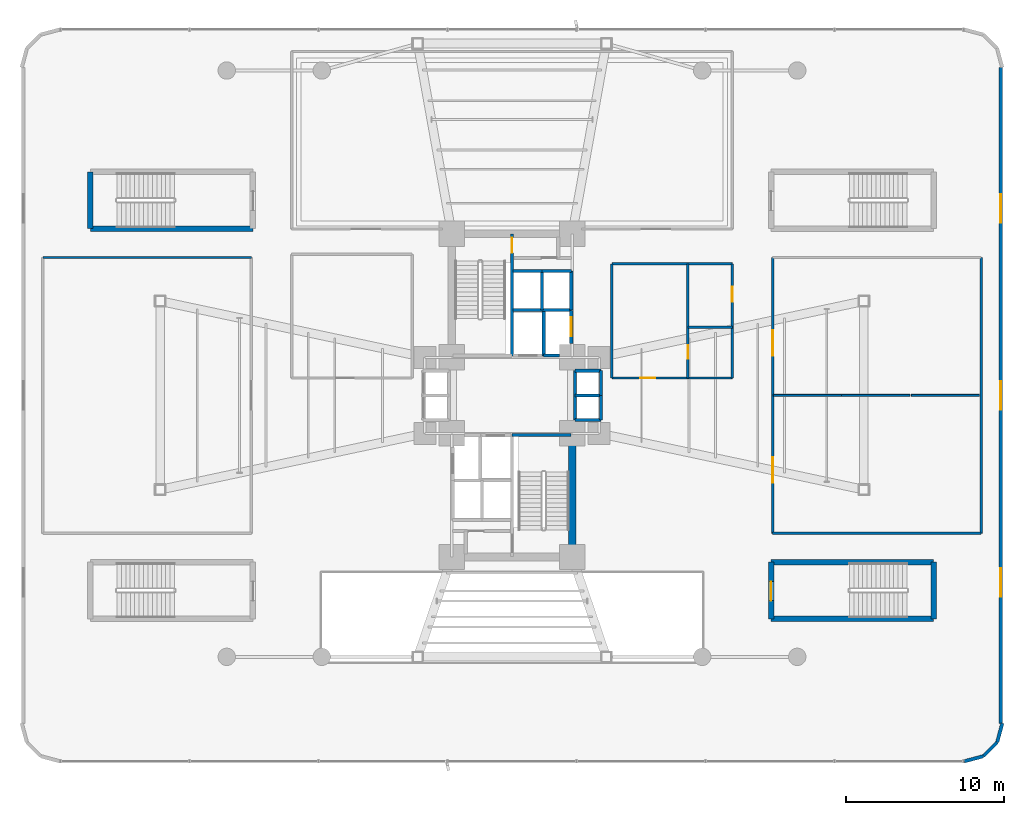
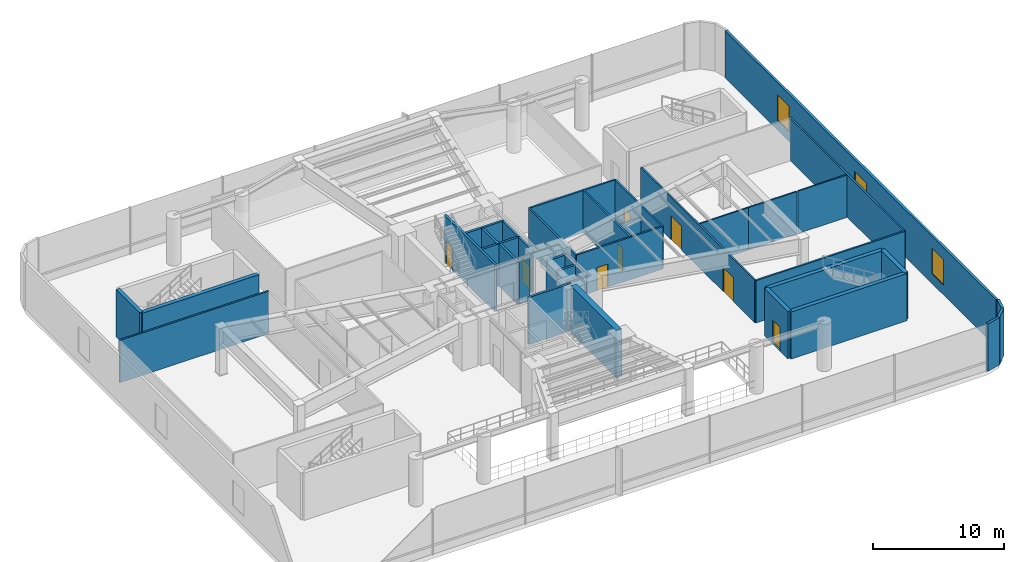
# One storey, part 16 of 22: 40 walls, 8 doors, 3 windows, 11 openings.
"""IFC4 building model written with IfcOpenShell, lengths in metres."""

from ifc_helpers import new_model, si_unit, direction, frame, frame_2d, origin, origin_2d, place, context, subcontext, project, spatial, rectangle, extrude, source, transform, mapped, material, layer, layer_set, type_object, element, fill, save


model = new_model("IFC4")

# Units and contexts
model_context = context("Model", 3, precision=1e-05, world=origin(), true_north=direction((0.0, 1.0)))
body_context = subcontext(model_context, "Body", "Model", "MODEL_VIEW")
ifc_project = project(units=[si_unit("LENGTHUNIT", "METRE"), si_unit("AREAUNIT", "SQUARE_METRE"), si_unit("VOLUMEUNIT", "CUBIC_METRE"), si_unit("PLANEANGLEUNIT", "RADIAN"), si_unit("MASSUNIT", "GRAM", prefix="KILO")], contexts=[model_context])

# Site, building, storey
site_placement = place(None, origin())
site = spatial("IfcSite", under=ifc_project, at=site_placement, CompositionType="ELEMENT")
building_placement = place(site_placement, origin())
building = spatial("IfcBuilding", under=site, at=building_placement, Name="Sahyath Konkavel Grand Hotel", CompositionType="ELEMENT")
storey_placement = place(building_placement, frame((0.0, 0.0, 9.300048828125)))
storey = spatial("IfcBuildingStorey", under=building, at=storey_placement, Name="L02", CompositionType="ELEMENT", Elevation=9.300048828125)

# Walls
ifc_material_1 = material(Name="Concrete C40/50", Category="concrete")
ifc_layer_1 = layer(ifc_material_1, 0.35009765625)
ifc_layer_set_1 = layer_set([ifc_layer_1], Name="Concrete C40/50")
wall_type_1 = type_object("IfcWallType", Name="CWALL-350", PredefinedType="SHEAR", material=ifc_layer_set_1)
wall_1_placement = place(storey_placement, frame((-26.60009765625, 10.52001953125, 0.0), z_axis=(0.0, 0.0, 1.0), x_axis=(1.0, 0.0, 0.0)))
element("IfcWall", 1, at=wall_1_placement, inside=storey, type_object=wall_type_1, Name="L02 Partition ST-P1-S", PredefinedType="SHEAR", context=body_context, shape_type="SweptSolid", body=[
    extrude(rectangle(XDim=10.25, YDim=0.35009765625, at=frame_2d((5.125, 0.0))), origin(), (0.0, 0.0, 1.0), 4.39990234375),
])
wall_2_placement = place(storey_placement, frame((-26.60009765625, 10.52001953125, 0.0), z_axis=(0.0, 0.0, 1.0), x_axis=(0.0, 1.0, 0.0)))
element("IfcWall", 2, at=wall_2_placement, inside=storey, type_object=wall_type_1, Name="L02 Partition ST-P1-W", PredefinedType="SHEAR", context=body_context, shape_type="SweptSolid", body=[
    extrude(rectangle(XDim=3.580078125, YDim=0.35009765625, at=frame_2d((1.7900390625, 0.0))), origin(), (0.0, 0.0, 1.0), 4.39990234375),
])
for number, where, z_axis, x_axis, name in (
    (3, (16.35009765625, -10.52001953125, 0.0), (0.0, 0.0, 1.0), (1.0, 0.0, 0.0), "L02 Partition ST-P4-N"),
    (4, (16.35009765625, -14.10009765625, 0.0), (0.0, 0.0, 1.0), (1.0, 0.0, 0.0), "L02 Partition ST-P4-S"),
):
    element("IfcWall", number, at=place(storey_placement, frame(where, z_axis=z_axis, x_axis=x_axis)), inside=storey, type_object=wall_type_1, Name=name, PredefinedType="SHEAR", context=body_context, shape_type="SweptSolid", body=[
        extrude(rectangle(XDim=10.25, YDim=0.35009765625, at=frame_2d((5.125, 0.0))), origin(), (0.0, 0.0, 1.0), 4.39990234375),
    ])

# Wall, opening, door
wall_3_placement = place(storey_placement, frame((16.35009765625, -14.10009765625, 0.0), z_axis=(0.0, 0.0, 1.0), x_axis=(0.0, 1.0, 0.0)))
wall_3 = element("IfcWall", 5, at=wall_3_placement, inside=storey, type_object=wall_type_1, Name="L02 Partition ST-P4-W", PredefinedType="SHEAR", context=body_context, shape_type="SweptSolid", body=[
    extrude(rectangle(XDim=3.580078125, YDim=0.35009765625, at=frame_2d((1.7900390625, 0.0))), origin(), (0.0, 0.0, 1.0), 4.39990234375),
])
opening_1_placement = place(wall_3_placement, frame((1.14990234375, 0.0, 0.0)))
opening_1 = element("IfcOpeningElement", 6, at=opening_1_placement, cuts=wall_3, Name="Opening D-F12A", PredefinedType="OPENING", context=body_context, shape_type="SweptSolid", body=[
    extrude(rectangle(XDim=1.199951171875, YDim=2.199951171875, at=frame_2d((0.60009765625, 1.10009765625))), frame((0.0, 0.18505859375, 0.0), z_axis=(0.0, -1.0, 0.0), x_axis=(1.0, 0.0, 0.0)), (0.0, 0.0, 1.0), 0.3701171875),
])
ifc_material_2 = material(Name="Steel E350 Fire Door", Category="steel")
door_type_1 = type_object("IfcDoorType", Name="DR-FD120-1200", OperationType="NOTDEFINED", PredefinedType="DOOR", material=ifc_material_2)
shared_shape_1 = source(origin(), body_context, "Body", "SweptSolid", [
    extrude(rectangle(XDim=1.199951171875, YDim=0.050048828125, at=origin_2d()), origin(), (0.0, 0.0, 1.0), 2.199951171875),
])
door_1_placement = place(opening_1_placement, frame((0.60009765625, 0.0, 0.0)))
door_1 = element("IfcDoor", 7, at=door_1_placement, inside=storey, type_object=door_type_1, Name="L02 ST-P4 Fire Door", OperationType="SINGLE_SWING_LEFT", OverallHeight=2.199951171875, OverallWidth=1.199951171875, PredefinedType="DOOR", context=body_context, shape_type="MappedRepresentation", body=[
    mapped(shared_shape_1, transform((0.0, 0.0, 0.0), scale=1.0)),
])
fill(opening_1, door_1)

# Walls
wall_4_placement = place(storey_placement, frame((26.60009765625, -14.10009765625, 0.0), z_axis=(0.0, 0.0, 1.0), x_axis=(0.0, 1.0, 0.0)))
element("IfcWall", 8, at=wall_4_placement, inside=storey, type_object=wall_type_1, Name="L02 Partition ST-P4-E", PredefinedType="SHEAR", context=body_context, shape_type="SweptSolid", body=[
    extrude(rectangle(XDim=3.580078125, YDim=0.35009765625, at=frame_2d((1.7900390625, 0.0))), origin(), (0.0, 0.0, 1.0), 4.39990234375),
])
ifc_material_3 = material(Name="Concrete C70/85", Category="concrete")
ifc_layer_2 = layer(ifc_material_3, 0.5)
ifc_layer_set_2 = layer_set([ifc_layer_2], Name="Concrete C70/85")
wall_type_2 = type_object("IfcWallType", Name="CWALL-500", PredefinedType="SHEAR", material=ifc_layer_set_2)
wall_5_placement = place(storey_placement, frame((3.800048828125, -9.75, 0.0), z_axis=(0.0, 0.0, 1.0), x_axis=(0.0, 1.0, 0.0)))
element("IfcWall", 9, at=wall_5_placement, inside=storey, type_object=wall_type_2, Name="L02 South Core Shear Wall E", PredefinedType="SHEAR", context=body_context, shape_type="SweptSolid", body=[
    extrude(rectangle(XDim=6.89990234375, YDim=0.5, at=frame_2d((3.449951171875, 0.0))), origin(), (0.0, 0.0, 1.0), 4.39990234375),
])
ifc_material_4 = material(Name="Warm Buff Sandstone Insulated Concrete C40/50", Category="masonry")
ifc_layer_3 = layer(ifc_material_4, 0.219970703125)
ifc_layer_set_3 = layer_set([ifc_layer_3], Name="Warm Buff Sandstone Insulated Concrete C40/50")
wall_type_3 = type_object("IfcWallType", Name="WLL-BALC-THRESH", PredefinedType="STANDARD", material=ifc_layer_set_3)
for number, where, z_axis, x_axis, name in (
    (10, (28.541015625, -23.092041015625, 0.0), (0.0, 0.0, 1.0), (0.965924366126, 0.258824494443, 0.0), "L02 Rounded Podium Corner Sandstone Pier 0"),
    (11, (29.740966796875, -22.7705078125, 0.0), (0.0, 0.0, 1.0), (0.707106781187, 0.707106781187, 0.0), "L02 Rounded Podium Corner Sandstone Pier 1"),
):
    element("IfcWall", number, at=place(storey_placement, frame(where, z_axis=z_axis, x_axis=x_axis)), inside=storey, type_object=wall_type_3, Name=name, PredefinedType="STANDARD", context=body_context, shape_type="SweptSolid", body=[
        extrude(rectangle(XDim=1.2421875, YDim=0.219970703125, at=frame_2d((0.62109375, 0.0))), origin(), (0.0, 0.0, 1.0), 4.39990234375),
    ])
wall_6_placement = place(storey_placement, frame((30.619384765625, -21.89208984375, 0.0), z_axis=(0.0, 0.0, 1.0), x_axis=(0.25877537102, 0.965937527666, 0.0)))
element("IfcWall", 12, at=wall_6_placement, inside=storey, type_object=wall_type_3, Name="L02 Rounded Podium Corner Sandstone Pier 2", PredefinedType="STANDARD", context=body_context, shape_type="SweptSolid", body=[
    extrude(rectangle(XDim=1.242431640625, YDim=0.219970703125, at=frame_2d((0.62109375, 0.0))), origin(), (0.0, 0.0, 1.0), 4.39990234375),
])

# Wall, openings, windows
wall_7_placement = place(storey_placement, frame((30.8310546875, -20.69189453125, 0.0), z_axis=(0.0, 0.0, 1.0), x_axis=(0.0, 1.0, 0.0)))
wall_7 = element("IfcWall", 13, at=wall_7_placement, inside=storey, type_object=wall_type_3, Name="L02 Sandstone Podium Facade Wall E", PredefinedType="STANDARD", context=body_context, shape_type="SweptSolid", body=[
    extrude(rectangle(XDim=41.3837890625, YDim=0.219970703125, at=frame_2d((20.69189453125, 0.0))), origin(), (0.0, 0.0, 1.0), 4.39990234375),
])
opening_2_placement = place(wall_7_placement, frame((7.991943359375, 0.0, 0.89990234375)))
opening_2 = element("IfcOpeningElement", 14, at=opening_2_placement, cuts=wall_7, Name="Opening W-PD1", PredefinedType="OPENING", context=body_context, shape_type="SweptSolid", body=[
    extrude(rectangle(XDim=1.800048828125, YDim=2.39990234375, at=frame_2d((0.89990234375, 1.199951171875))), frame((0.0, 0.1201171875, 0.0), z_axis=(0.0, -1.0, 0.0), x_axis=(1.0, 0.0, 0.0)), (0.0, 0.0, 1.0), 0.239990234375),
])
opening_3_placement = place(wall_7_placement, frame((19.7919921875, 0.0, 0.89990234375)))
opening_3 = element("IfcOpeningElement", 15, at=opening_3_placement, cuts=wall_7, Name="Opening W-PD1", PredefinedType="OPENING", context=body_context, shape_type="SweptSolid", body=[
    extrude(rectangle(XDim=1.800048828125, YDim=2.39990234375, at=frame_2d((0.89990234375, 1.199951171875))), frame((0.0, 0.1201171875, 0.0), z_axis=(0.0, -1.0, 0.0), x_axis=(1.0, 0.0, 0.0)), (0.0, 0.0, 1.0), 0.239990234375),
])
opening_4_placement = place(wall_7_placement, frame((31.592041015625, 0.0, 0.89990234375)))
opening_4 = element("IfcOpeningElement", 16, at=opening_4_placement, cuts=wall_7, Name="Opening W-PD1", PredefinedType="OPENING", context=body_context, shape_type="SweptSolid", body=[
    extrude(rectangle(XDim=1.800048828125, YDim=2.39990234375, at=frame_2d((0.89990234375, 1.199951171875))), frame((0.0, 0.1201171875, 0.0), z_axis=(0.0, -1.0, 0.0), x_axis=(1.0, 0.0, 0.0)), (0.0, 0.0, 1.0), 0.239990234375),
])
ifc_material_5 = material(Name="Anodised Bronze Aluminium & Low-E Glazing", Category="aluminium")
window_type = type_object("IfcWindowType", Name="WIN-POD-1800", PartitioningType="SINGLE_PANEL", PredefinedType="WINDOW", material=ifc_material_5)
shared_shape_2 = source(origin(), body_context, "Body", "SweptSolid", [
    extrude(rectangle(XDim=1.800048828125, YDim=0.06005859375, at=origin_2d()), origin(), (0.0, 0.0, 1.0), 2.39990234375),
])
window_1_placement = place(opening_2_placement, frame((0.89990234375, 0.0, 0.0)))
window_1 = element("IfcWindow", 17, at=window_1_placement, inside=storey, type_object=window_type, Name="L02 Podium Window E-1", OverallHeight=2.39990234375, OverallWidth=1.800048828125, PartitioningType="SINGLE_PANEL", PredefinedType="WINDOW", context=body_context, shape_type="MappedRepresentation", body=[
    mapped(shared_shape_2, transform((0.0, 0.0, 0.0), scale=1.0)),
])
fill(opening_2, window_1)
window_2_placement = place(opening_3_placement, frame((0.89990234375, 0.0, 0.0)))
window_2 = element("IfcWindow", 18, at=window_2_placement, inside=storey, type_object=window_type, Name="L02 Podium Window E-2", OverallHeight=2.39990234375, OverallWidth=1.800048828125, PartitioningType="SINGLE_PANEL", PredefinedType="WINDOW", context=body_context, shape_type="MappedRepresentation", body=[
    mapped(shared_shape_2, transform((0.0, 0.0, 0.0), scale=1.0)),
])
fill(opening_3, window_2)
window_3_placement = place(opening_4_placement, frame((0.89990234375, 0.0, 0.0)))
window_3 = element("IfcWindow", 19, at=window_3_placement, inside=storey, type_object=window_type, Name="L02 Podium Window E-3", OverallHeight=2.39990234375, OverallWidth=1.800048828125, PartitioningType="SINGLE_PANEL", PredefinedType="WINDOW", context=body_context, shape_type="MappedRepresentation", body=[
    mapped(shared_shape_2, transform((0.0, 0.0, 0.0), scale=1.0)),
])
fill(opening_4, window_3)

# Wall, opening, door
ifc_layer_4 = layer(ifc_material_1, 0.199951171875)
ifc_layer_set_4 = layer_set([ifc_layer_4], Name="Concrete C40/50")
wall_type_4 = type_object("IfcWallType", Name="WLL-CORE-200", PredefinedType="SOLIDWALL", material=ifc_layer_set_4)
wall_8_placement = place(storey_placement, frame((0.0, 2.5, 0.0), z_axis=(0.0, 0.0, 1.0), x_axis=(0.0, 1.0, 0.0)))
wall_8 = element("IfcWall", 20, at=wall_8_placement, inside=storey, type_object=wall_type_4, Name="L02 Stair ST-1 Shaft Wall E", PredefinedType="SOLIDWALL", context=body_context, shape_type="SweptSolid", body=[
    extrude(rectangle(XDim=7.679931640625, YDim=0.199951171875, at=frame_2d((3.83984375, 0.0))), origin(), (0.0, 0.0, 1.0), 4.39990234375),
])
opening_5_placement = place(wall_8_placement, frame((6.5, 0.0, 0.0)))
opening_5 = element("IfcOpeningElement", 21, at=opening_5_placement, cuts=wall_8, Name="Opening D-F12C", PredefinedType="OPENING", context=body_context, shape_type="SweptSolid", body=[
    extrude(rectangle(XDim=0.949951171875, YDim=2.14990234375, at=frame_2d((0.47509765625, 1.074951171875))), frame((0.0, 0.10986328125, 0.0), z_axis=(0.0, -1.0, 0.0), x_axis=(1.0, 0.0, 0.0)), (0.0, 0.0, 1.0), 0.219970703125),
])
ifc_material_6 = material(Name="Steel E350 Plant Fire Door", Category="steel")
door_type_2 = type_object("IfcDoorType", Name="DR-FD120-950", OperationType="NOTDEFINED", PredefinedType="DOOR", material=ifc_material_6)
shared_shape_3 = source(origin(), body_context, "Body", "SweptSolid", [
    extrude(rectangle(XDim=0.949951171875, YDim=0.050048828125, at=origin_2d()), origin(), (0.0, 0.0, 1.0), 2.14990234375),
])
door_2_placement = place(opening_5_placement, frame((0.47509765625, 0.0, 0.0)))
door_2 = element("IfcDoor", 22, at=door_2_placement, inside=storey, type_object=door_type_2, Name="L02 Stair ST-1 Fire Door", OperationType="SINGLE_SWING_RIGHT", OverallHeight=2.14990234375, OverallWidth=0.949951171875, PredefinedType="DOOR", context=body_context, shape_type="MappedRepresentation", body=[
    mapped(shared_shape_3, transform((0.0, 0.0, 0.0), scale=1.0)),
])
fill(opening_5, door_2)

# Walls
wall_9_placement = place(storey_placement, frame((0.0, -2.5, 0.0), z_axis=(0.0, 0.0, 1.0), x_axis=(1.0, 0.0, 0.0)))
element("IfcWall", 23, at=wall_9_placement, inside=storey, type_object=wall_type_4, Name="L02 Stair ST-2 Shaft Wall N", PredefinedType="SOLIDWALL", context=body_context, shape_type="SweptSolid", body=[
    extrude(rectangle(XDim=3.719970703125, YDim=0.199951171875, at=frame_2d((1.85986328125, 0.0))), origin(), (0.0, 0.0, 1.0), 4.39990234375),
])
wall_10_placement = place(storey_placement, frame((2.0, 2.5, 0.0), z_axis=(0.0, 0.0, 1.0), x_axis=(0.0, 1.0, 0.0)))
element("IfcWall", 24, at=wall_10_placement, inside=storey, type_object=wall_type_4, Name="L02 Partition SH-FFL1-E", PredefinedType="SOLIDWALL", context=body_context, shape_type="SweptSolid", body=[
    extrude(rectangle(XDim=2.780029296875, YDim=0.199951171875, at=frame_2d((1.39013671875, 0.0))), origin(), (0.0, 0.0, 1.0), 3.949951171875),
])
wall_11_placement = place(storey_placement, frame((2.0, 2.52001953125, 0.0), z_axis=(0.0, 0.0, 1.0), x_axis=(1.0, 0.0, 0.0)))
element("IfcWall", 25, at=wall_11_placement, inside=storey, type_object=wall_type_4, Name="L02 Partition SH-SVL1-S", PredefinedType="SOLIDWALL", context=body_context, shape_type="SweptSolid", body=[
    extrude(rectangle(XDim=1.0, YDim=0.199951171875, at=frame_2d((0.5, 0.0))), origin(), (0.0, 0.0, 1.0), 3.949951171875),
])

# Wall, opening, door
wall_12_placement = place(storey_placement, frame((3.739990234375, 3.280029296875, 0.0), z_axis=(0.0, 0.0, 1.0), x_axis=(0.0, 1.0, 0.0)))
wall_12 = element("IfcWall", 26, at=wall_12_placement, inside=storey, type_object=wall_type_4, Name="L02 Partition SH-SVL1-E", PredefinedType="SOLIDWALL", context=body_context, shape_type="SweptSolid", body=[
    extrude(rectangle(XDim=2.080078125, YDim=0.199951171875, at=frame_2d((1.0400390625, 0.0))), origin(), (0.0, 0.0, 1.0), 3.949951171875),
])
opening_6_placement = place(wall_12_placement, frame((0.43994140625, 0.0, 0.0)))
opening_6 = element("IfcOpeningElement", 27, at=opening_6_placement, cuts=wall_12, Name="Opening LD-12", PredefinedType="OPENING", context=body_context, shape_type="SweptSolid", body=[
    extrude(rectangle(XDim=1.199951171875, YDim=2.199951171875, at=frame_2d((0.60009765625, 1.10009765625))), frame((0.0, 0.10986328125, 0.0), z_axis=(0.0, -1.0, 0.0), x_axis=(1.0, 0.0, 0.0)), (0.0, 0.0, 1.0), 0.219970703125),
])
ifc_material_7 = material(Name="Stainless Steel Lift Landing Door 1200", Category="steel")
door_type_3 = type_object("IfcDoorType", Name="DR-LIFT-1200", OperationType="DOUBLE_DOOR_SLIDING", PredefinedType="DOOR", material=ifc_material_7)
door_3_placement = place(opening_6_placement, frame((0.60009765625, 0.0, 0.0)))
door_3 = element("IfcDoor", 28, at=door_3_placement, inside=storey, type_object=door_type_3, Name="L02 Service Lift SVL-1 Landing Door", OperationType="DOUBLE_DOOR_SLIDING", OverallHeight=2.199951171875, OverallWidth=1.199951171875, PredefinedType="DOOR", context=body_context, shape_type="MappedRepresentation", body=[
    mapped(shared_shape_1, transform((0.0, 0.0, 0.0), scale=1.0)),
])
fill(opening_6, door_3)

# Walls
wall_13_placement = place(storey_placement, frame((0.050048828125, 5.3798828125, 0.0), z_axis=(0.0, 0.0, 1.0), x_axis=(1.0, 0.0, 0.0)))
element("IfcWall", 29, at=wall_13_placement, inside=storey, type_object=wall_type_4, Name="L02 Partition SH-PL12-S", PredefinedType="SOLIDWALL", context=body_context, shape_type="SweptSolid", body=[
    extrude(rectangle(XDim=3.68994140625, YDim=0.199951171875, at=frame_2d((1.844970703125, 0.0))), origin(), (0.0, 0.0, 1.0), 3.949951171875),
])
wall_14_placement = place(storey_placement, frame((1.89990234375, 5.3798828125, 0.0), z_axis=(0.0, 0.0, 1.0), x_axis=(0.0, 1.0, 0.0)))
element("IfcWall", 30, at=wall_14_placement, inside=storey, type_object=wall_type_4, Name="L02 Partition SH-PL12-M", PredefinedType="SOLIDWALL", context=body_context, shape_type="SweptSolid", body=[
    extrude(rectangle(XDim=2.480224609375, YDim=0.199951171875, at=frame_2d((1.240234375, 0.0))), origin(), (0.0, 0.0, 1.0), 3.949951171875),
])
wall_15_placement = place(storey_placement, frame((0.050048828125, 7.860107421875, 0.0), z_axis=(0.0, 0.0, 1.0), x_axis=(1.0, 0.0, 0.0)))
element("IfcWall", 31, at=wall_15_placement, inside=storey, type_object=wall_type_4, Name="L02 Partition SH-PL1-N", PredefinedType="SOLIDWALL", context=body_context, shape_type="SweptSolid", body=[
    extrude(rectangle(XDim=1.849853515625, YDim=0.199951171875, at=frame_2d((0.9248046875, 0.0))), origin(), (0.0, 0.0, 1.0), 3.949951171875),
])
wall_16_placement = place(storey_placement, frame((3.739990234375, 5.3798828125, 0.0), z_axis=(0.0, 0.0, 1.0), x_axis=(0.0, 1.0, 0.0)))
element("IfcWall", 32, at=wall_16_placement, inside=storey, type_object=wall_type_4, Name="L02 Partition SH-PL2-E", PredefinedType="SOLIDWALL", context=body_context, shape_type="SweptSolid", body=[
    extrude(rectangle(XDim=2.480224609375, YDim=0.199951171875, at=frame_2d((1.240234375, 0.0))), origin(), (0.0, 0.0, 1.0), 3.949951171875),
])
wall_17_placement = place(storey_placement, frame((1.89990234375, 7.860107421875, 0.0), z_axis=(0.0, 0.0, 1.0), x_axis=(1.0, 0.0, 0.0)))
element("IfcWall", 33, at=wall_17_placement, inside=storey, type_object=wall_type_4, Name="L02 Partition SH-PL2-N", PredefinedType="SOLIDWALL", context=body_context, shape_type="SweptSolid", body=[
    extrude(rectangle(XDim=1.840087890625, YDim=0.199951171875, at=frame_2d((0.919921875, 0.0))), origin(), (0.0, 0.0, 1.0), 3.949951171875),
])
wall_18_placement = place(storey_placement, frame((3.97998046875, -1.56005859375, 0.0), z_axis=(0.0, 0.0, 1.0), x_axis=(0.0, 1.0, 0.0)))
element("IfcWall", 34, at=wall_18_placement, inside=storey, type_object=wall_type_4, Name="L02 Partition SH-PL56-W", PredefinedType="SOLIDWALL", context=body_context, shape_type="SweptSolid", body=[
    extrude(rectangle(XDim=3.1201171875, YDim=0.199951171875, at=frame_2d((1.56005859375, 0.0))), origin(), (0.0, 0.0, 1.0), 3.469970703125),
])
for number, where, z_axis, x_axis, name in (
    (35, (3.97998046875, 1.56005859375, 0.0), (0.0, 0.0, 1.0), (1.0, 0.0, 0.0), "L02 Partition SH-PL56-N"),
    (36, (3.97998046875, -1.56005859375, 0.0), (0.0, 0.0, 1.0), (1.0, 0.0, 0.0), "L02 Partition SH-PL56-S"),
    (37, (3.97998046875, 0.0, 0.0), (0.0, 0.0, 1.0), (1.0, 0.0, 0.0), "L02 Partition SH-PL56-M"),
):
    element("IfcWall", number, at=place(storey_placement, frame(where, z_axis=z_axis, x_axis=x_axis)), inside=storey, type_object=wall_type_4, Name=name, PredefinedType="SOLIDWALL", context=body_context, shape_type="SweptSolid", body=[
        extrude(rectangle(XDim=1.64013671875, YDim=0.199951171875, at=frame_2d((0.820068359375, 0.0))), origin(), (0.0, 0.0, 1.0), 3.949951171875),
    ])
for number, where, z_axis, x_axis, name in (
    (38, (5.6201171875, 0.0, 0.0), (0.0, 0.0, 1.0), (0.0, 1.0, 0.0), "L02 Partition SH-PL5-E"),
    (39, (5.6201171875, -1.56005859375, 0.0), (0.0, 0.0, 1.0), (0.0, 1.0, 0.0), "L02 Partition SH-PL6-E"),
):
    element("IfcWall", number, at=place(storey_placement, frame(where, z_axis=z_axis, x_axis=x_axis)), inside=storey, type_object=wall_type_4, Name=name, PredefinedType="SOLIDWALL", context=body_context, shape_type="SweptSolid", body=[
        extrude(rectangle(XDim=1.56005859375, YDim=0.199951171875, at=frame_2d((0.780029296875, 0.0))), origin(), (0.0, 0.0, 1.0), 3.949951171875),
    ])
ifc_material_8 = material(Name="Acoustic Timber Veneer Operable Partition", Category="wood")
ifc_layer_5 = layer(ifc_material_8, 0.1201171875)
ifc_layer_set_5 = layer_set([ifc_layer_5], Name="Acoustic Timber Veneer Operable Partition")
wall_type_5 = type_object("IfcWallType", Name="WLL-MOVABLE-120", PredefinedType="MOVABLE", material=ifc_layer_set_5)
for number, where, z_axis, x_axis, name in (
    (40, (16.5, 0.0, 0.0), (0.0, 0.0, 1.0), (1.0, 0.0, 0.0), "L02 Partition L02-MOV-1"),
    (41, (20.800048828125, 0.0, 0.0), (0.0, 0.0, 1.0), (1.0, 0.0, 0.0), "L02 Partition L02-MOV-2"),
    (42, (25.199951171875, 0.0, 0.0), (0.0, 0.0, 1.0), (1.0, 0.0, 0.0), "L02 Partition L02-MOV-3"),
):
    element("IfcWall", number, at=place(storey_placement, frame(where, z_axis=z_axis, x_axis=x_axis)), inside=storey, type_object=wall_type_5, Name=name, PredefinedType="MOVABLE", context=body_context, shape_type="SweptSolid", body=[
        extrude(rectangle(XDim=4.300048828125, YDim=0.1201171875, at=frame_2d((2.14990234375, 0.0))), origin(), (0.0, 0.0, 1.0), 3.949951171875),
    ])
ifc_material_9 = material(Name="Fire-Rated Gypsum Plasterboard Partition")
ifc_layer_6 = layer(ifc_material_9, 0.14990234375)
ifc_layer_set_6 = layer_set([ifc_layer_6], Name="Fire-Rated Gypsum Plasterboard Partition")
wall_type_6 = type_object("IfcWallType", Name="WLL-PART-150", PredefinedType="PARTITIONING", material=ifc_layer_set_6)
wall_19_placement = place(storey_placement, frame((-29.60009765625, 8.699951171875, 0.0), z_axis=(0.0, 0.0, 1.0), x_axis=(1.0, 0.0, 0.0)))
element("IfcWall", 43, at=wall_19_placement, inside=storey, type_object=wall_type_6, Name="L02 Partition L02-BQW-N", PredefinedType="PARTITIONING", context=body_context, shape_type="SweptSolid", body=[
    extrude(rectangle(XDim=13.150146484375, YDim=0.14990234375, at=frame_2d((6.5751953125, 0.0))), origin(), (0.0, 0.0, 1.0), 3.949951171875),
])

# Wall, openings, doors
wall_20_placement = place(storey_placement, frame((16.449951171875, -8.699951171875, 0.0), z_axis=(0.0, 0.0, 1.0), x_axis=(0.0, 1.0, 0.0)))
wall_20 = element("IfcWall", 44, at=wall_20_placement, inside=storey, type_object=wall_type_6, Name="L02 Partition L02-BQE-W", PredefinedType="PARTITIONING", context=body_context, shape_type="SweptSolid", body=[
    extrude(rectangle(XDim=17.39990234375, YDim=0.14990234375, at=frame_2d((8.699951171875, 0.0))), origin(), (0.0, 0.0, 1.0), 3.949951171875),
])
opening_7_placement = place(wall_20_placement, frame((11.199951171875, 0.0, 0.0)))
opening_7 = element("IfcOpeningElement", 45, at=opening_7_placement, cuts=wall_20, Name="Opening D-DB16", PredefinedType="OPENING", context=body_context, shape_type="SweptSolid", body=[
    extrude(rectangle(XDim=1.60009765625, YDim=2.25, at=frame_2d((0.800048828125, 1.125))), frame((0.0, 0.0849609375, 0.0), z_axis=(0.0, -1.0, 0.0), x_axis=(1.0, 0.0, 0.0)), (0.0, 0.0, 1.0), 0.169921875),
])
opening_8_placement = place(wall_20_placement, frame((3.199951171875, 0.0, 0.0)))
opening_8 = element("IfcOpeningElement", 46, at=opening_8_placement, cuts=wall_20, Name="Opening D-DB16", PredefinedType="OPENING", context=body_context, shape_type="SweptSolid", body=[
    extrude(rectangle(XDim=1.60009765625, YDim=2.25, at=frame_2d((0.800048828125, 1.125))), frame((0.0, 0.0849609375, 0.0), z_axis=(0.0, -1.0, 0.0), x_axis=(1.0, 0.0, 0.0)), (0.0, 0.0, 1.0), 0.169921875),
])
ifc_material_10 = material(Name="Double Leaf Lounge Glazed Timber Door", Category="wood")
door_type_4 = type_object("IfcDoorType", Name="DR-DBL-1600", OperationType="DOUBLE_DOOR_SINGLE_SWING", PredefinedType="DOOR", material=ifc_material_10)
shared_shape_4 = source(origin(), body_context, "Body", "SweptSolid", [
    extrude(rectangle(XDim=1.60009765625, YDim=0.050048828125, at=origin_2d()), origin(), (0.0, 0.0, 1.0), 2.25),
])
door_4_placement = place(opening_7_placement, frame((0.800048828125, 0.0, 0.0)))
door_4 = element("IfcDoor", 47, at=door_4_placement, inside=storey, type_object=door_type_4, Name="L02 Door L02-BQE1-D", OperationType="DOUBLE_DOOR_SINGLE_SWING", OverallHeight=2.25, OverallWidth=1.60009765625, PredefinedType="DOOR", context=body_context, shape_type="MappedRepresentation", body=[
    mapped(shared_shape_4, transform((0.0, 0.0, 0.0), scale=1.0)),
])
fill(opening_7, door_4)
door_5_placement = place(opening_8_placement, frame((0.800048828125, 0.0, 0.0)))
door_5 = element("IfcDoor", 48, at=door_5_placement, inside=storey, type_object=door_type_4, Name="L02 Door L02-BQE2-D", OperationType="DOUBLE_DOOR_SINGLE_SWING", OverallHeight=2.25, OverallWidth=1.60009765625, PredefinedType="DOOR", context=body_context, shape_type="MappedRepresentation", body=[
    mapped(shared_shape_4, transform((0.0, 0.0, 0.0), scale=1.0)),
])
fill(opening_8, door_5)

# Walls
wall_21_placement = place(storey_placement, frame((29.60009765625, -8.699951171875, 0.0), z_axis=(0.0, 0.0, 1.0), x_axis=(0.0, 1.0, 0.0)))
element("IfcWall", 49, at=wall_21_placement, inside=storey, type_object=wall_type_6, Name="L02 Partition L02-BQE-E", PredefinedType="PARTITIONING", context=body_context, shape_type="SweptSolid", body=[
    extrude(rectangle(XDim=17.39990234375, YDim=0.14990234375, at=frame_2d((8.699951171875, 0.0))), origin(), (0.0, 0.0, 1.0), 3.949951171875),
])
wall_22_placement = place(storey_placement, frame((16.449951171875, -8.699951171875, 0.0), z_axis=(0.0, 0.0, 1.0), x_axis=(1.0, 0.0, 0.0)))
element("IfcWall", 50, at=wall_22_placement, inside=storey, type_object=wall_type_6, Name="L02 Partition L02-BQE-S", PredefinedType="PARTITIONING", context=body_context, shape_type="SweptSolid", body=[
    extrude(rectangle(XDim=13.150146484375, YDim=0.14990234375, at=frame_2d((6.5751953125, 0.0))), origin(), (0.0, 0.0, 1.0), 3.949951171875),
])

# Wall, opening, door
wall_23_placement = place(storey_placement, frame((6.300048828125, 1.10009765625, 0.0), z_axis=(0.0, 0.0, 1.0), x_axis=(1.0, 0.0, 0.0)))
wall_23 = element("IfcWall", 51, at=wall_23_placement, inside=storey, type_object=wall_type_6, Name="L02 Partition L02-BR-S", PredefinedType="PARTITIONING", context=body_context, shape_type="SweptSolid", body=[
    extrude(rectangle(XDim=7.599853515625, YDim=0.14990234375, at=frame_2d((3.7998046875, 0.0))), origin(), (0.0, 0.0, 1.0), 3.949951171875),
])
opening_9_placement = place(wall_23_placement, frame((1.800048828125, 0.0, 0.0)))
opening_9 = element("IfcOpeningElement", 52, at=opening_9_placement, cuts=wall_23, Name="Opening D-F06B", PredefinedType="OPENING", context=body_context, shape_type="SweptSolid", body=[
    extrude(rectangle(XDim=0.949951171875, YDim=2.14990234375, at=frame_2d((0.47509765625, 1.074951171875))), frame((0.0, 0.0849609375, 0.0), z_axis=(0.0, -1.0, 0.0), x_axis=(1.0, 0.0, 0.0)), (0.0, 0.0, 1.0), 0.169921875),
])
ifc_material_11 = material(Name="Teak Veneer Fire-Rated Guest Entrance Door")
door_type_5 = type_object("IfcDoorType", Name="DR-FD60-950", OperationType="NOTDEFINED", PredefinedType="DOOR", material=ifc_material_11)
door_6_placement = place(opening_9_placement, frame((0.47509765625, 0.0, 0.0)))
door_6 = element("IfcDoor", 53, at=door_6_placement, inside=storey, type_object=door_type_5, Name="L02 Door L02-BR-D", OperationType="SINGLE_SWING_LEFT", OverallHeight=2.14990234375, OverallWidth=0.949951171875, PredefinedType="DOOR", context=body_context, shape_type="MappedRepresentation", body=[
    mapped(shared_shape_3, transform((0.0, 0.0, 0.0), scale=1.0)),
])
fill(opening_9, door_6)

# Walls
wall_24_placement = place(storey_placement, frame((6.300048828125, 8.300048828125, 0.0), z_axis=(0.0, 0.0, 1.0), x_axis=(1.0, 0.0, 0.0)))
element("IfcWall", 54, at=wall_24_placement, inside=storey, type_object=wall_type_6, Name="L02 Partition L02-BR-N", PredefinedType="PARTITIONING", context=body_context, shape_type="SweptSolid", body=[
    extrude(rectangle(XDim=7.599853515625, YDim=0.14990234375, at=frame_2d((3.7998046875, 0.0))), origin(), (0.0, 0.0, 1.0), 3.949951171875),
])
wall_25_placement = place(storey_placement, frame((6.300048828125, 1.10009765625, 0.0), z_axis=(0.0, 0.0, 1.0), x_axis=(0.0, 1.0, 0.0)))
element("IfcWall", 55, at=wall_25_placement, inside=storey, type_object=wall_type_6, Name="L02 Partition L02-BR-W", PredefinedType="PARTITIONING", context=body_context, shape_type="SweptSolid", body=[
    extrude(rectangle(XDim=7.199951171875, YDim=0.14990234375, at=frame_2d((3.60009765625, 0.0))), origin(), (0.0, 0.0, 1.0), 3.949951171875),
])

# Wall, opening, door
wall_26_placement = place(storey_placement, frame((13.89990234375, 1.10009765625, 0.0), z_axis=(0.0, 0.0, 1.0), x_axis=(0.0, 1.0, 0.0)))
wall_26 = element("IfcWall", 56, at=wall_26_placement, inside=storey, type_object=wall_type_6, Name="L02 Partition L02-BR-E", PredefinedType="PARTITIONING", context=body_context, shape_type="SweptSolid", body=[
    extrude(rectangle(XDim=7.199951171875, YDim=0.14990234375, at=frame_2d((3.60009765625, 0.0))), origin(), (0.0, 0.0, 1.0), 3.949951171875),
])
opening_10_placement = place(wall_26_placement, frame((4.800048828125, 0.0, 0.0)))
opening_10 = element("IfcOpeningElement", 57, at=opening_10_placement, cuts=wall_26, Name="Opening D-AC95", PredefinedType="OPENING", context=body_context, shape_type="SweptSolid", body=[
    extrude(rectangle(XDim=0.949951171875, YDim=2.14990234375, at=frame_2d((0.47509765625, 1.074951171875))), frame((0.0, 0.0849609375, 0.0), z_axis=(0.0, -1.0, 0.0), x_axis=(1.0, 0.0, 0.0)), (0.0, 0.0, 1.0), 0.169921875),
])
ifc_material_12 = material(Name="Accessible Washroom Timber Door", Category="wood")
door_type_6 = type_object("IfcDoorType", Name="DR-ACC-950", OperationType="NOTDEFINED", PredefinedType="DOOR", material=ifc_material_12)
door_7_placement = place(opening_10_placement, frame((0.47509765625, 0.0, 0.0)))
door_7 = element("IfcDoor", 58, at=door_7_placement, inside=storey, type_object=door_type_6, Name="L02 Door L02-AWC-D", OperationType="SINGLE_SWING_LEFT", OverallHeight=2.14990234375, OverallWidth=0.949951171875, PredefinedType="DOOR", context=body_context, shape_type="MappedRepresentation", body=[
    mapped(shared_shape_3, transform((0.0, 0.0, 0.0), scale=1.0)),
])
fill(opening_10, door_7)

wall_27_placement = place(storey_placement, frame((11.10009765625, 1.10009765625, 0.0), z_axis=(0.0, 0.0, 1.0), x_axis=(0.0, 1.0, 0.0)))
wall_27 = element("IfcWall", 59, at=wall_27_placement, inside=storey, type_object=wall_type_6, Name="L02 Partition L02-BR-M", PredefinedType="PARTITIONING", context=body_context, shape_type="SweptSolid", body=[
    extrude(rectangle(XDim=7.199951171875, YDim=0.14990234375, at=frame_2d((3.60009765625, 0.0))), origin(), (0.0, 0.0, 1.0), 3.949951171875),
])
opening_11_placement = place(wall_27_placement, frame((1.199951171875, 0.0, 0.0)))
opening_11 = element("IfcOpeningElement", 60, at=opening_11_placement, cuts=wall_27, Name="Opening D-BT85", PredefinedType="OPENING", context=body_context, shape_type="SweptSolid", body=[
    extrude(rectangle(XDim=0.85009765625, YDim=2.10009765625, at=frame_2d((0.425048828125, 1.050048828125))), frame((0.0, 0.0849609375, 0.0), z_axis=(0.0, -1.0, 0.0), x_axis=(1.0, 0.0, 0.0)), (0.0, 0.0, 1.0), 0.169921875),
])
ifc_material_13 = material(Name="Moisture-Resistant Teak Bathroom Door")
door_type_7 = type_object("IfcDoorType", Name="DR-BATH-850", OperationType="NOTDEFINED", PredefinedType="DOOR", material=ifc_material_13)
shared_shape_5 = source(origin(), body_context, "Body", "SweptSolid", [
    extrude(rectangle(XDim=0.85009765625, YDim=0.050048828125, at=origin_2d()), origin(), (0.0, 0.0, 1.0), 2.10009765625),
])
door_8_placement = place(opening_11_placement, frame((0.425048828125, 0.0, 0.0)))
door_8 = element("IfcDoor", 61, at=door_8_placement, inside=storey, type_object=door_type_7, Name="L02 Door L02-BRB-D", OperationType="SINGLE_SWING_RIGHT", OverallHeight=2.10009765625, OverallWidth=0.85009765625, PredefinedType="DOOR", context=body_context, shape_type="MappedRepresentation", body=[
    mapped(shared_shape_5, transform((0.0, 0.0, 0.0), scale=1.0)),
])
fill(opening_11, door_8)

# Wall
wall_28_placement = place(storey_placement, frame((11.10009765625, 4.300048828125, 0.0), z_axis=(0.0, 0.0, 1.0), x_axis=(1.0, 0.0, 0.0)))
element("IfcWall", 62, at=wall_28_placement, inside=storey, type_object=wall_type_6, Name="L02 Partition L02-BR-H", PredefinedType="PARTITIONING", context=body_context, shape_type="SweptSolid", body=[
    extrude(rectangle(XDim=2.7998046875, YDim=0.14990234375, at=frame_2d((1.39990234375, 0.0))), origin(), (0.0, 0.0, 1.0), 2.869873046875),
])

save(model, "model.ifc")
